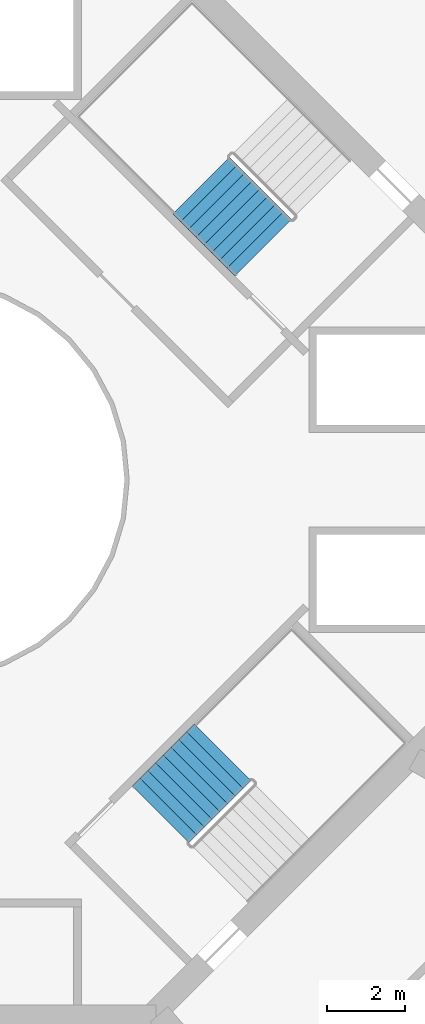
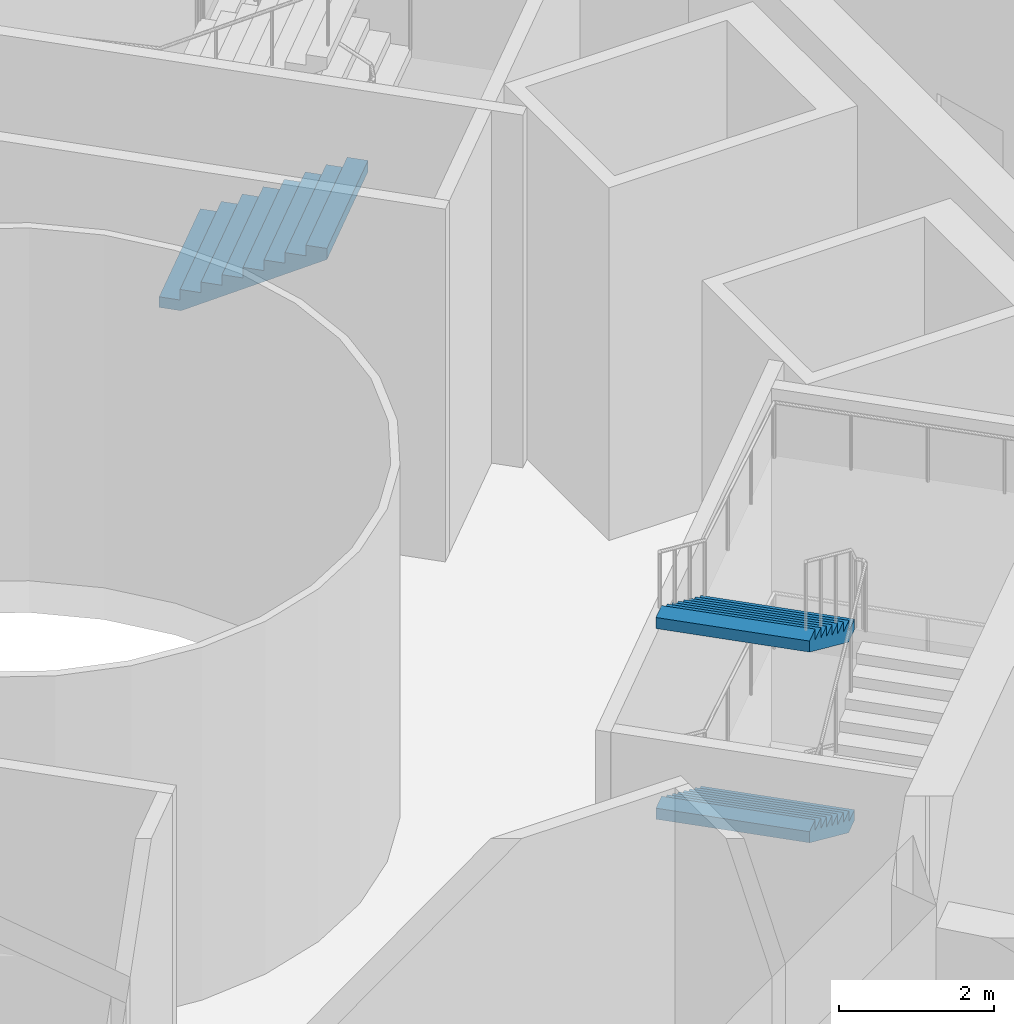
# One storey, part 13 of 16: 3 stair flights, 2 elements without a shape of their own.
"""IFC4 building model written with IfcOpenShell, lengths in metres."""

import ifcopenshell
import ifcopenshell.guid

model = None  # the IFC model being written
_history = None  # IfcOwnerHistory: only IFC2X3 demands one
_inside = {}  # id of a spatial element -> (the spatial element, [elements in it])
_under = {}  # id of a project, library or spatial element -> (it, [spatial elements below it])
_declared = {}  # id of a project -> (the project, [libraries it declares])
_typed = {}  # id of a type object -> (the type object, [elements of that type])
_made_of = {}  # id of a material, layer set ... -> (it, [elements and type objects made of it])


def new_model(schema):
    """Start an empty IFC model of exactly this schema.

    Asked for "IFC4X3", IfcOpenShell would pick the latest addendum, in which some entities
    have other attributes; the version numbers below select the first issue.
    IFC2X3 requires an IfcOwnerHistory on every rooted entity: one is made here for all.
    """
    global model, _history
    if schema == "IFC4X3":
        model = ifcopenshell.file(schema_version=(4, 3, 0, 0))
    else:
        model = ifcopenshell.file(schema=schema)
    _inside.clear()
    _under.clear()
    _declared.clear()
    _typed.clear()
    _made_of.clear()
    _history = None
    if model.schema == "IFC2X3":
        org = make("IfcOrganization", Name="unknown")
        user = make(
            "IfcPersonAndOrganization",
            ThePerson=make("IfcPerson", FamilyName="unknown"),
            TheOrganization=org,
        )
        app = make(
            "IfcApplication",
            ApplicationDeveloper=org,
            Version="unknown",
            ApplicationFullName="unknown",
            ApplicationIdentifier="unknown",
        )
        _history = make(
            "IfcOwnerHistory",
            OwningUser=user,
            OwningApplication=app,
            ChangeAction="ADDED",
            CreationDate=0,
        )
    return model


def make(cls, **values):
    """One entity of the class cls with the attributes given. An attribute that is None is left unset."""
    return model.create_entity(
        cls, **{name: value for name, value in values.items() if value is not None}
    )


def rooted(cls, **values):
    """An entity with a GlobalId (a new one), such as an element, a storey or a relation."""
    return make(cls, GlobalId=ifcopenshell.guid.new(), OwnerHistory=_history, **values)


def si_unit(unit_type, name, prefix=None):
    """IfcSIUnit, for example si_unit("LENGTHUNIT", "METRE", prefix="MILLI")."""
    return make("IfcSIUnit", UnitType=unit_type, Prefix=prefix, Name=name)


def assignment(units):
    """IfcUnitAssignment: the units of a project."""
    return None if units is None else make("IfcUnitAssignment", Units=units)


def point(xyz):
    """IfcCartesianPoint."""
    return None if xyz is None else make("IfcCartesianPoint", Coordinates=xyz)


def direction(xyz):
    """IfcDirection."""
    return None if xyz is None else make("IfcDirection", DirectionRatios=xyz)


def frame(location, z_axis=None, x_axis=None):
    """IfcAxis2Placement3D, a coordinate frame: its origin and axes. An axis left out is left unset."""
    return make(
        "IfcAxis2Placement3D",
        Location=point(location),
        Axis=direction(z_axis),
        RefDirection=direction(x_axis),
    )


def origin():
    """The frame at (0, 0, 0) with its axes left unset."""
    return frame((0.0, 0.0, 0.0))


def place(relative_to, where):
    """IfcLocalPlacement: puts the frame where relative to a parent placement (None: the world)."""
    return make(
        "IfcLocalPlacement", PlacementRelTo=relative_to, RelativePlacement=where
    )


def context(
    kind, dimensions, precision=None, world=None, true_north=None, identifier=None
):
    """IfcGeometricRepresentationContext, for example the 3D "Model" context."""
    return make(
        "IfcGeometricRepresentationContext",
        ContextIdentifier=identifier,
        ContextType=kind,
        CoordinateSpaceDimension=dimensions,
        Precision=precision,
        WorldCoordinateSystem=world,
        TrueNorth=true_north,
    )


def subcontext(parent, identifier, kind, view, scale=None):
    """IfcGeometricRepresentationSubContext, for example "Body" below "Model"."""
    return make(
        "IfcGeometricRepresentationSubContext",
        ContextIdentifier=identifier,
        ContextType=kind,
        ParentContext=parent,
        TargetScale=scale,
        TargetView=view,
    )


def project(units=None, contexts=None):
    """IfcProject with its units and contexts."""
    return rooted(
        "IfcProject",
        Name="project",
        RepresentationContexts=contexts,
        UnitsInContext=assignment(units),
    )


def spatial(cls, under=None, at=None, **own):
    """A site, building, storey or space (cls), placed at a placement, below another one or the project."""
    s = rooted(cls, ObjectPlacement=at, **own)
    if under is not None:
        _under.setdefault(under.id(), (under, []))[1].append(s)
    return s


def point_list(points):
    """IfcCartesianPointList2D or 3D."""
    cls = (
        "IfcCartesianPointList2D" if len(points[0]) == 2 else "IfcCartesianPointList3D"
    )
    return make(cls, CoordList=points)


def triangles(points, corners, closed=None, point_numbers=None):
    """IfcTriangulatedFaceSet: each triangle names its three corners, points numbered from 1."""
    return make(
        "IfcTriangulatedFaceSet",
        Coordinates=point_list(points),
        Closed=closed,
        CoordIndex=corners,
        PnIndex=point_numbers,
    )


def shape(context_of_items, identifier, shape_type, items):
    """IfcShapeRepresentation: the items that make up one representation, for example the "Body"."""
    return make(
        "IfcShapeRepresentation",
        ContextOfItems=context_of_items,
        RepresentationIdentifier=identifier,
        RepresentationType=shape_type,
        Items=items,
    )


def material(Name=None, Category=None):
    """IfcMaterial."""
    return make("IfcMaterial", Name=Name, Category=Category)


def made_of(thing, what):
    """Note that an element or type object is made of a material, layer set ...; save() writes the relation."""
    if what is not None:
        _made_of.setdefault(what.id(), (what, []))[1].append(thing)
    return thing


def type_object(cls, material=None, **own):
    """A type object (cls), such as IfcWallType, which elements share."""
    return made_of(rooted(cls, **own), material)


def element(
    cls,
    number,
    at=None,
    inside=None,
    cuts=None,
    type_object=None,
    material=None,
    context=None,
    identifier="Body",
    shape_type=None,
    held_by="IfcProductDefinitionShape",
    body=None,
    shapes=None,
    **own,
):
    """One element of the class cls, such as IfcWall. Its Tag is "e" and its number.

    at: its placement. inside: the storey or other place that contains it. cuts: it is an
    opening in that element (IfcRelVoidsElement). A single representation is given by context,
    identifier, shape_type and body (its items); several are given by shapes. held_by: the class
    of the entity that holds the representations. save() writes the other relations.
    """
    e = rooted(cls, Tag="e%d" % number, ObjectPlacement=at, **own)
    if body is not None:
        shapes = [shape(context, identifier, shape_type, body)]
    if shapes is not None:
        e.Representation = make(held_by, Representations=shapes)
    if inside is not None:
        _inside.setdefault(inside.id(), (inside, []))[1].append(e)
    if cuts is not None:
        rooted(
            "IfcRelVoidsElement", RelatingBuildingElement=cuts, RelatedOpeningElement=e
        )
    if type_object is not None:
        _typed.setdefault(type_object.id(), (type_object, []))[1].append(e)
    return made_of(e, material)


def aggregate(whole, parts):
    """IfcRelAggregates: a whole, such as a stair, and the parts it consists of."""
    return rooted("IfcRelAggregates", RelatingObject=whole, RelatedObjects=parts)


def save(model, path):
    """Write the relations noted so far, then the file.

    IfcRelAggregates (storeys below a building ...), IfcRelContainedInSpatialStructure (elements
    in a storey), IfcRelDefinesByType, IfcRelAssociatesMaterial and IfcRelDeclares: one each for
    every whole, place, type object, material and project.
    """
    for whole, parts in _under.values():
        aggregate(whole, parts)
    for where, things in _inside.values():
        rooted(
            "IfcRelContainedInSpatialStructure",
            RelatedElements=things,
            RelatingStructure=where,
        )
    for kind, things in _typed.values():
        rooted("IfcRelDefinesByType", RelatedObjects=things, RelatingType=kind)
    for what, things in _made_of.values():
        rooted("IfcRelAssociatesMaterial", RelatedObjects=things, RelatingMaterial=what)
    for by, libraries in _declared.values():
        rooted("IfcRelDeclares", RelatingContext=by, RelatedDefinitions=libraries)
    model.write(path)


model = new_model("IFC4")

# Units and contexts
model_context = context("Model", 3, precision=1e-05, world=origin(), true_north=direction((0.0, 1.0)))
body_context = subcontext(model_context, "Body", "Model", "MODEL_VIEW")
ifc_project = project(units=[si_unit("LENGTHUNIT", "METRE"), si_unit("AREAUNIT", "SQUARE_METRE"), si_unit("VOLUMEUNIT", "CUBIC_METRE"), si_unit("PLANEANGLEUNIT", "RADIAN"), si_unit("MASSUNIT", "GRAM", prefix="KILO")], contexts=[model_context])

# Site, building, storey
site_placement = place(None, origin())
site = spatial("IfcSite", under=ifc_project, at=site_placement, CompositionType="ELEMENT")
building_placement = place(site_placement, origin())
building = spatial("IfcBuilding", under=site, at=building_placement, Name="Verdalira Terraces Hotel", CompositionType="ELEMENT")
storey_placement = place(building_placement, frame((0.0, 0.0, 216.0)))
storey = spatial("IfcBuildingStorey", under=building, at=storey_placement, Name="L53", CompositionType="ELEMENT", Elevation=216.0)

# Stair, stair flight
ifc_material_1 = material(Name="Concrete C40", Category="concrete")
stair_type = type_object("IfcStairType", Name="Core stair 36 risers 2050 mm wide", PredefinedType="HALF_TURN_STAIR", material=ifc_material_1)
stair_1_placement = place(storey_placement, origin())
stair_1 = element("IfcStair", 1, at=stair_1_placement, inside=storey, type_object=stair_type, Name="L53 Exit stair ST1", PredefinedType="HALF_TURN_STAIR")
ifc_material_2 = material(Name="Concrete C40", Category="concrete")
stair_flight_type = type_object("IfcStairFlightType", Name="Core stair flight 36 risers 2050 mm wide", PredefinedType="STRAIGHT", material=ifc_material_2)
stair_flight_1_placement = place(storey_placement, frame((6.954346, 7.505859, 1.5), z_axis=(0.0, 0.0, 1.0), x_axis=(0.707106781, -0.707106781, 0.0)))
stair_flight_1 = element("IfcStairFlight", 2, at=stair_flight_1_placement, type_object=stair_flight_type, Name="ST1 flight 2", NumberOfRisers=9, NumberOfTreads=8, PredefinedType="STRAIGHT", RiserHeight=0.166666667, TreadLength=0.28, context=body_context, shape_type="Tessellation", body=[
    triangles([(0.0, 1.025024, 0.0), (0.292969, 1.025024, 0.0), (2.23999, 1.025024, 1.158936), (0.0, -1.025024, 0.0), (0.292969, -1.025024, 0.0), (2.23999, -1.025024, 1.158936), (2.23999, 1.025024, 1.333252), (1.959961, 1.025024, 1.333252), (2.23999, -1.025024, 1.333252), (1.959961, -1.025024, 1.333252), (1.959961, 1.025024, 1.166748), (1.959961, -1.025024, 1.166748), (1.679932, 1.025024, 1.166748), (1.679932, -1.025024, 1.166748), (1.679932, 1.025024, 1.0), (1.679932, -1.025024, 1.0), (1.399902, 1.025024, 1.0), (1.399902, 1.025024, 0.833252), (1.399902, -1.025024, 1.0), (1.399902, -1.025024, 0.833252), (1.120117, 1.025024, 0.833252), (1.120117, 1.025024, 0.666748), (1.120117, -1.025024, 0.833252), (1.120117, -1.025024, 0.666748), (0.840088, 1.025024, 0.666748), (0.840088, 1.025024, 0.5), (0.840088, -1.025024, 0.666748), (0.840088, -1.025024, 0.5), (0.560059, 1.025024, 0.5), (0.560059, 1.025024, 0.333252), (0.560059, -1.025024, 0.5), (0.560059, -1.025024, 0.333252), (0.280029, 1.025024, 0.333252), (0.280029, 1.025024, 0.166748), (0.280029, -1.025024, 0.333252), (0.280029, -1.025024, 0.166748), (0.0, 1.025024, 0.166748), (0.0, -1.025024, 0.166748), (0.0, -0.96096, 0.0), (0.0, -0.96096, 0.166748), (0.0, -0.896896, 0.0), (0.0, -0.896896, 0.166748), (0.0, -0.832832, 0.0), (0.0, -0.832832, 0.166748), (0.0, -0.768768, 0.0), (0.0, -0.768768, 0.166748), (0.0, -0.704704, 0.0), (0.0, -0.704704, 0.166748), (0.0, -0.64064, 0.0), (0.0, -0.64064, 0.166748), (0.0, -0.576576, 0.0), (0.0, -0.576576, 0.166748), (0.0, -0.512512, 0.0), (0.0, -0.512512, 0.166748), (0.0, -0.448448, 0.0), (0.0, -0.448448, 0.166748), (0.0, -0.384384, 0.0), (0.0, -0.384384, 0.166748), (0.0, -0.32032, 0.0), (0.0, -0.32032, 0.166748), (0.0, -0.256256, 0.0), (0.0, -0.256256, 0.166748), (0.0, -0.192192, 0.0), (0.0, -0.192192, 0.166748), (0.0, -0.128128, 0.0), (0.0, -0.128128, 0.166748), (0.0, -0.064064, 0.0), (0.0, -0.064064, 0.166748), (0.0, 0.0, 0.0), (0.0, 0.0, 0.166748), (0.0, 0.064064, 0.0), (0.0, 0.064064, 0.166748), (0.0, 0.128128, 0.0), (0.0, 0.128128, 0.166748), (0.0, 0.192192, 0.0), (0.0, 0.192192, 0.166748), (0.0, 0.256256, 0.0), (0.0, 0.256256, 0.166748), (0.0, 0.32032, 0.0), (0.0, 0.32032, 0.166748), (0.0, 0.384384, 0.0), (0.0, 0.384384, 0.166748), (0.0, 0.448448, 0.0), (0.0, 0.448448, 0.166748), (0.0, 0.512512, 0.0), (0.0, 0.512512, 0.166748), (0.0, 0.576576, 0.0), (0.0, 0.576576, 0.166748), (0.0, 0.64064, 0.0), (0.0, 0.64064, 0.166748), (0.0, 0.704704, 0.0), (0.0, 0.704704, 0.166748), (0.0, 0.768768, 0.0), (0.0, 0.768768, 0.166748), (0.0, 0.832832, 0.0), (0.0, 0.832832, 0.166748), (0.0, 0.896896, 0.0), (0.0, 0.896896, 0.166748), (0.0, 0.96096, 0.0), (0.0, 0.96096, 0.166748), (2.23999, -0.96096, 1.333252), (2.23999, -0.896896, 1.333252), (2.23999, -0.832832, 1.333252), (2.23999, -0.768768, 1.333252), (2.23999, -0.704704, 1.333252), (2.23999, -0.64064, 1.333252), (2.23999, -0.576576, 1.333252), (2.23999, -0.512512, 1.333252), (2.23999, -0.448448, 1.333252), (2.23999, -0.384384, 1.333252), (2.23999, -0.32032, 1.333252), (2.23999, -0.256256, 1.333252), (2.23999, -0.192192, 1.333252), (2.23999, -0.128128, 1.333252), (2.23999, -0.064064, 1.333252), (2.23999, 0.0, 1.333252), (2.23999, 0.064064, 1.333252), (2.23999, 0.128128, 1.333252), (2.23999, 0.192192, 1.333252), (2.23999, 0.256256, 1.333252), (2.23999, 0.32032, 1.333252), (2.23999, 0.384384, 1.333252), (2.23999, 0.448448, 1.333252), (2.23999, 0.512512, 1.333252), (2.23999, 0.576576, 1.333252), (2.23999, 0.64064, 1.333252), (2.23999, 0.704704, 1.333252), (2.23999, 0.768768, 1.333252), (2.23999, 0.832832, 1.333252), (2.23999, 0.896896, 1.333252), (2.23999, 0.96096, 1.333252), (2.23999, -0.96096, 1.158936), (2.23999, -0.896896, 1.158936), (2.23999, -0.832832, 1.158936), (2.23999, -0.768768, 1.158936), (2.23999, -0.704704, 1.158936), (2.23999, -0.64064, 1.158936), (2.23999, -0.576576, 1.158936), (2.23999, -0.512512, 1.158936), (2.23999, -0.448448, 1.158936), (2.23999, -0.384384, 1.158936), (2.23999, -0.32032, 1.158936), (2.23999, -0.256256, 1.158936), (2.23999, -0.192192, 1.158936), (2.23999, -0.128128, 1.158936), (2.23999, -0.064064, 1.158936), (2.23999, 0.0, 1.158936), (2.23999, 0.064064, 1.158936), (2.23999, 0.128128, 1.158936), (2.23999, 0.192192, 1.158936), (2.23999, 0.256256, 1.158936), (2.23999, 0.32032, 1.158936), (2.23999, 0.384384, 1.158936), (2.23999, 0.448448, 1.158936), (2.23999, 0.512512, 1.158936), (2.23999, 0.576576, 1.158936), (2.23999, 0.64064, 1.158936), (2.23999, 0.704704, 1.158936), (2.23999, 0.768768, 1.158936), (2.23999, 0.832832, 1.158936), (2.23999, 0.896896, 1.158936), (2.23999, 0.96096, 1.158936)], [[1, 3, 2], [4, 5, 6], [3, 8, 7], [6, 9, 10], [3, 11, 8], [6, 10, 12], [3, 13, 11], [6, 12, 14], [3, 15, 13], [6, 14, 16], [15, 18, 17], [16, 19, 20], [3, 18, 15], [6, 16, 20], [18, 22, 21], [20, 23, 24], [3, 22, 18], [6, 20, 24], [22, 26, 25], [24, 27, 28], [3, 26, 22], [6, 24, 28], [26, 30, 29], [28, 31, 32], [3, 30, 26], [6, 28, 32], [1, 30, 3], [4, 6, 32], [30, 34, 33], [32, 35, 36], [1, 34, 30], [4, 32, 36], [34, 1, 37], [36, 38, 4], [4, 40, 39], [4, 38, 40], [39, 42, 41], [39, 40, 42], [41, 44, 43], [41, 42, 44], [43, 46, 45], [43, 44, 46], [45, 48, 47], [45, 46, 48], [47, 50, 49], [47, 48, 50], [49, 52, 51], [49, 50, 52], [51, 54, 53], [51, 52, 54], [53, 56, 55], [53, 54, 56], [55, 58, 57], [55, 56, 58], [57, 60, 59], [57, 58, 60], [59, 62, 61], [59, 60, 62], [61, 64, 63], [61, 62, 64], [63, 66, 65], [63, 64, 66], [65, 68, 67], [65, 66, 68], [67, 70, 69], [67, 68, 70], [69, 72, 71], [69, 70, 72], [71, 74, 73], [71, 72, 74], [73, 76, 75], [73, 74, 76], [75, 78, 77], [75, 76, 78], [77, 80, 79], [77, 78, 80], [79, 82, 81], [79, 80, 82], [81, 84, 83], [81, 82, 84], [83, 86, 85], [83, 84, 86], [85, 88, 87], [85, 86, 88], [87, 90, 89], [87, 88, 90], [89, 92, 91], [89, 90, 92], [91, 94, 93], [91, 92, 94], [93, 96, 95], [93, 94, 96], [95, 98, 97], [95, 96, 98], [97, 100, 99], [97, 98, 100], [99, 37, 1], [99, 100, 37], [38, 36, 40], [40, 36, 42], [42, 36, 44], [44, 36, 46], [46, 36, 48], [48, 36, 50], [50, 36, 52], [52, 36, 54], [54, 36, 56], [56, 36, 58], [58, 36, 60], [60, 36, 62], [62, 36, 64], [64, 36, 66], [66, 36, 68], [68, 36, 70], [70, 36, 72], [72, 36, 74], [74, 36, 76], [76, 36, 78], [78, 36, 80], [80, 36, 82], [82, 36, 84], [84, 36, 86], [86, 36, 88], [88, 36, 90], [90, 36, 92], [92, 36, 94], [94, 36, 96], [96, 36, 98], [98, 36, 100], [100, 36, 37], [37, 36, 34], [36, 33, 34], [36, 35, 33], [35, 30, 33], [35, 32, 30], [32, 29, 30], [32, 31, 29], [31, 26, 29], [31, 28, 26], [28, 25, 26], [28, 27, 25], [27, 22, 25], [27, 24, 22], [24, 21, 22], [24, 23, 21], [23, 18, 21], [23, 20, 18], [20, 17, 18], [20, 19, 17], [19, 15, 17], [19, 16, 15], [16, 13, 15], [16, 14, 13], [14, 11, 13], [14, 12, 11], [12, 8, 11], [12, 10, 8], [9, 101, 10], [101, 102, 10], [102, 103, 10], [103, 104, 10], [104, 105, 10], [105, 106, 10], [106, 107, 10], [107, 108, 10], [108, 109, 10], [109, 110, 10], [110, 111, 10], [111, 112, 10], [112, 113, 10], [113, 114, 10], [114, 115, 10], [115, 116, 10], [116, 117, 10], [117, 118, 10], [118, 119, 10], [119, 120, 10], [120, 121, 10], [121, 122, 10], [122, 123, 10], [123, 124, 10], [124, 125, 10], [125, 126, 10], [126, 127, 10], [127, 128, 10], [128, 129, 10], [129, 130, 10], [130, 131, 10], [131, 7, 10], [7, 8, 10], [9, 132, 101], [9, 6, 132], [101, 133, 102], [101, 132, 133], [102, 134, 103], [102, 133, 134], [103, 135, 104], [103, 134, 135], [104, 136, 105], [104, 135, 136], [105, 137, 106], [105, 136, 137], [106, 138, 107], [106, 137, 138], [107, 139, 108], [107, 138, 139], [108, 140, 109], [108, 139, 140], [109, 141, 110], [109, 140, 141], [110, 142, 111], [110, 141, 142], [111, 143, 112], [111, 142, 143], [112, 144, 113], [112, 143, 144], [113, 145, 114], [113, 144, 145], [114, 146, 115], [114, 145, 146], [115, 147, 116], [115, 146, 147], [116, 148, 117], [116, 147, 148], [117, 149, 118], [117, 148, 149], [118, 150, 119], [118, 149, 150], [119, 151, 120], [119, 150, 151], [120, 152, 121], [120, 151, 152], [121, 153, 122], [121, 152, 153], [122, 154, 123], [122, 153, 154], [123, 155, 124], [123, 154, 155], [124, 156, 125], [124, 155, 156], [125, 157, 126], [125, 156, 157], [126, 158, 127], [126, 157, 158], [127, 159, 128], [127, 158, 159], [128, 160, 129], [128, 159, 160], [129, 161, 130], [129, 160, 161], [130, 162, 131], [130, 161, 162], [131, 3, 7], [131, 162, 3], [6, 5, 132], [132, 5, 133], [133, 5, 134], [134, 5, 135], [135, 5, 136], [136, 5, 137], [137, 5, 138], [138, 5, 139], [139, 5, 140], [140, 5, 141], [141, 5, 142], [142, 5, 143], [143, 5, 144], [144, 5, 145], [145, 5, 146], [146, 5, 147], [147, 5, 148], [148, 5, 149], [149, 5, 150], [150, 5, 151], [151, 5, 152], [152, 5, 153], [153, 5, 154], [154, 5, 155], [155, 5, 156], [156, 5, 157], [157, 5, 158], [158, 5, 159], [159, 5, 160], [160, 5, 161], [161, 5, 162], [162, 5, 3], [3, 5, 2], [4, 39, 5], [39, 41, 5], [41, 43, 5], [43, 45, 5], [45, 47, 5], [47, 49, 5], [49, 51, 5], [51, 53, 5], [53, 55, 5], [55, 57, 5], [57, 59, 5], [59, 61, 5], [61, 63, 5], [63, 65, 5], [65, 67, 5], [67, 69, 5], [69, 71, 5], [71, 73, 5], [73, 75, 5], [75, 77, 5], [77, 79, 5], [79, 81, 5], [81, 83, 5], [83, 85, 5], [85, 87, 5], [87, 89, 5], [89, 91, 5], [91, 93, 5], [93, 95, 5], [95, 97, 5], [97, 99, 5], [99, 1, 5], [1, 2, 5]], closed=True),
])
aggregate(stair_1, [stair_flight_1])

# Stair, stair flights
stair_2_placement = place(storey_placement, origin())
stair_2 = element("IfcStair", 3, at=stair_2_placement, inside=storey, type_object=stair_type, Name="L53 Exit stair ST3", PredefinedType="HALF_TURN_STAIR")
stair_flight_2_placement = place(storey_placement, frame((7.505859, -6.954346, 1.5), z_axis=(0.0, 0.0, 1.0), x_axis=(-0.707106781, -0.707106781, 0.0)))
stair_flight_2 = element("IfcStairFlight", 4, at=stair_flight_2_placement, type_object=stair_flight_type, Name="ST3 flight 2", NumberOfRisers=9, NumberOfTreads=8, PredefinedType="STRAIGHT", RiserHeight=0.166666667, TreadLength=0.28, context=body_context, shape_type="Tessellation", body=[
    triangles([(0.0, 1.025024, 0.0), (0.292969, 1.025024, 0.0), (2.23999, 1.025024, 1.158936), (0.0, -1.025024, 0.0), (0.292969, -1.025024, 0.0), (2.23999, -1.025024, 1.158936), (2.23999, 1.025024, 1.333252), (1.959961, 1.025024, 1.333252), (2.23999, -1.025024, 1.333252), (1.959961, -1.025024, 1.333252), (1.959961, 1.025024, 1.166748), (1.959961, -1.025024, 1.166748), (1.679932, 1.025024, 1.166748), (1.679932, -1.025024, 1.166748), (1.679932, 1.025024, 1.0), (1.679932, -1.025024, 1.0), (1.399902, 1.025024, 1.0), (1.399902, 1.025024, 0.833252), (1.399902, -1.025024, 1.0), (1.399902, -1.025024, 0.833252), (1.120117, 1.025024, 0.833252), (1.120117, 1.025024, 0.666748), (1.120117, -1.025024, 0.833252), (1.120117, -1.025024, 0.666748), (0.840088, 1.025024, 0.666748), (0.840088, 1.025024, 0.5), (0.840088, -1.025024, 0.666748), (0.840088, -1.025024, 0.5), (0.560059, 1.025024, 0.5), (0.560059, 1.025024, 0.333252), (0.560059, -1.025024, 0.5), (0.560059, -1.025024, 0.333252), (0.280029, 1.025024, 0.333252), (0.280029, 1.025024, 0.166748), (0.280029, -1.025024, 0.333252), (0.280029, -1.025024, 0.166748), (0.0, 1.025024, 0.166748), (0.0, -1.025024, 0.166748), (0.0, -0.96096, 0.0), (0.0, -0.96096, 0.166748), (0.0, -0.896896, 0.0), (0.0, -0.896896, 0.166748), (0.0, -0.832832, 0.0), (0.0, -0.832832, 0.166748), (0.0, -0.768768, 0.0), (0.0, -0.768768, 0.166748), (0.0, -0.704704, 0.0), (0.0, -0.704704, 0.166748), (0.0, -0.64064, 0.0), (0.0, -0.64064, 0.166748), (0.0, -0.576576, 0.0), (0.0, -0.576576, 0.166748), (0.0, -0.512512, 0.0), (0.0, -0.512512, 0.166748), (0.0, -0.448448, 0.0), (0.0, -0.448448, 0.166748), (0.0, -0.384384, 0.0), (0.0, -0.384384, 0.166748), (0.0, -0.32032, 0.0), (0.0, -0.32032, 0.166748), (0.0, -0.256256, 0.0), (0.0, -0.256256, 0.166748), (0.0, -0.192192, 0.0), (0.0, -0.192192, 0.166748), (0.0, -0.128128, 0.0), (0.0, -0.128128, 0.166748), (0.0, -0.064064, 0.0), (0.0, -0.064064, 0.166748), (0.0, 0.0, 0.0), (0.0, 0.0, 0.166748), (0.0, 0.064064, 0.0), (0.0, 0.064064, 0.166748), (0.0, 0.128128, 0.0), (0.0, 0.128128, 0.166748), (0.0, 0.192192, 0.0), (0.0, 0.192192, 0.166748), (0.0, 0.256256, 0.0), (0.0, 0.256256, 0.166748), (0.0, 0.32032, 0.0), (0.0, 0.32032, 0.166748), (0.0, 0.384384, 0.0), (0.0, 0.384384, 0.166748), (0.0, 0.448448, 0.0), (0.0, 0.448448, 0.166748), (0.0, 0.512512, 0.0), (0.0, 0.512512, 0.166748), (0.0, 0.576576, 0.0), (0.0, 0.576576, 0.166748), (0.0, 0.64064, 0.0), (0.0, 0.64064, 0.166748), (0.0, 0.704704, 0.0), (0.0, 0.704704, 0.166748), (0.0, 0.768768, 0.0), (0.0, 0.768768, 0.166748), (0.0, 0.832832, 0.0), (0.0, 0.832832, 0.166748), (0.0, 0.896896, 0.0), (0.0, 0.896896, 0.166748), (0.0, 0.96096, 0.0), (0.0, 0.96096, 0.166748), (2.23999, -0.96096, 1.333252), (2.23999, -0.896896, 1.333252), (2.23999, -0.832832, 1.333252), (2.23999, -0.768768, 1.333252), (2.23999, -0.704704, 1.333252), (2.23999, -0.64064, 1.333252), (2.23999, -0.576576, 1.333252), (2.23999, -0.512512, 1.333252), (2.23999, -0.448448, 1.333252), (2.23999, -0.384384, 1.333252), (2.23999, -0.32032, 1.333252), (2.23999, -0.256256, 1.333252), (2.23999, -0.192192, 1.333252), (2.23999, -0.128128, 1.333252), (2.23999, -0.064064, 1.333252), (2.23999, 0.0, 1.333252), (2.23999, 0.064064, 1.333252), (2.23999, 0.128128, 1.333252), (2.23999, 0.192192, 1.333252), (2.23999, 0.256256, 1.333252), (2.23999, 0.32032, 1.333252), (2.23999, 0.384384, 1.333252), (2.23999, 0.448448, 1.333252), (2.23999, 0.512512, 1.333252), (2.23999, 0.576576, 1.333252), (2.23999, 0.64064, 1.333252), (2.23999, 0.704704, 1.333252), (2.23999, 0.768768, 1.333252), (2.23999, 0.832832, 1.333252), (2.23999, 0.896896, 1.333252), (2.23999, 0.96096, 1.333252), (2.23999, -0.96096, 1.158936), (2.23999, -0.896896, 1.158936), (2.23999, -0.832832, 1.158936), (2.23999, -0.768768, 1.158936), (2.23999, -0.704704, 1.158936), (2.23999, -0.64064, 1.158936), (2.23999, -0.576576, 1.158936), (2.23999, -0.512512, 1.158936), (2.23999, -0.448448, 1.158936), (2.23999, -0.384384, 1.158936), (2.23999, -0.32032, 1.158936), (2.23999, -0.256256, 1.158936), (2.23999, -0.192192, 1.158936), (2.23999, -0.128128, 1.158936), (2.23999, -0.064064, 1.158936), (2.23999, 0.0, 1.158936), (2.23999, 0.064064, 1.158936), (2.23999, 0.128128, 1.158936), (2.23999, 0.192192, 1.158936), (2.23999, 0.256256, 1.158936), (2.23999, 0.32032, 1.158936), (2.23999, 0.384384, 1.158936), (2.23999, 0.448448, 1.158936), (2.23999, 0.512512, 1.158936), (2.23999, 0.576576, 1.158936), (2.23999, 0.64064, 1.158936), (2.23999, 0.704704, 1.158936), (2.23999, 0.768768, 1.158936), (2.23999, 0.832832, 1.158936), (2.23999, 0.896896, 1.158936), (2.23999, 0.96096, 1.158936)], [[1, 3, 2], [4, 5, 6], [3, 8, 7], [6, 9, 10], [3, 11, 8], [6, 10, 12], [3, 13, 11], [6, 12, 14], [3, 15, 13], [6, 14, 16], [15, 18, 17], [16, 19, 20], [3, 18, 15], [6, 16, 20], [18, 22, 21], [20, 23, 24], [3, 22, 18], [6, 20, 24], [22, 26, 25], [24, 27, 28], [3, 26, 22], [6, 24, 28], [26, 30, 29], [28, 31, 32], [3, 30, 26], [6, 28, 32], [1, 30, 3], [4, 6, 32], [30, 34, 33], [32, 35, 36], [1, 34, 30], [4, 32, 36], [34, 1, 37], [36, 38, 4], [4, 40, 39], [4, 38, 40], [39, 42, 41], [39, 40, 42], [41, 44, 43], [41, 42, 44], [43, 46, 45], [43, 44, 46], [45, 48, 47], [45, 46, 48], [47, 50, 49], [47, 48, 50], [49, 52, 51], [49, 50, 52], [51, 54, 53], [51, 52, 54], [53, 56, 55], [53, 54, 56], [55, 58, 57], [55, 56, 58], [57, 60, 59], [57, 58, 60], [59, 62, 61], [59, 60, 62], [61, 64, 63], [61, 62, 64], [63, 66, 65], [63, 64, 66], [65, 68, 67], [65, 66, 68], [67, 70, 69], [67, 68, 70], [69, 72, 71], [69, 70, 72], [71, 74, 73], [71, 72, 74], [73, 76, 75], [73, 74, 76], [75, 78, 77], [75, 76, 78], [77, 80, 79], [77, 78, 80], [79, 82, 81], [79, 80, 82], [81, 84, 83], [81, 82, 84], [83, 86, 85], [83, 84, 86], [85, 88, 87], [85, 86, 88], [87, 90, 89], [87, 88, 90], [89, 92, 91], [89, 90, 92], [91, 94, 93], [91, 92, 94], [93, 96, 95], [93, 94, 96], [95, 98, 97], [95, 96, 98], [97, 100, 99], [97, 98, 100], [99, 37, 1], [99, 100, 37], [38, 36, 40], [40, 36, 42], [42, 36, 44], [44, 36, 46], [46, 36, 48], [48, 36, 50], [50, 36, 52], [52, 36, 54], [54, 36, 56], [56, 36, 58], [58, 36, 60], [60, 36, 62], [62, 36, 64], [64, 36, 66], [66, 36, 68], [68, 36, 70], [70, 36, 72], [72, 36, 74], [74, 36, 76], [76, 36, 78], [78, 36, 80], [80, 36, 82], [82, 36, 84], [84, 36, 86], [86, 36, 88], [88, 36, 90], [90, 36, 92], [92, 36, 94], [94, 36, 96], [96, 36, 98], [98, 36, 100], [100, 36, 37], [37, 36, 34], [36, 33, 34], [36, 35, 33], [35, 30, 33], [35, 32, 30], [32, 29, 30], [32, 31, 29], [31, 26, 29], [31, 28, 26], [28, 25, 26], [28, 27, 25], [27, 22, 25], [27, 24, 22], [24, 21, 22], [24, 23, 21], [23, 18, 21], [23, 20, 18], [20, 17, 18], [20, 19, 17], [19, 15, 17], [19, 16, 15], [16, 13, 15], [16, 14, 13], [14, 11, 13], [14, 12, 11], [12, 8, 11], [12, 10, 8], [9, 101, 10], [101, 102, 10], [102, 103, 10], [103, 104, 10], [104, 105, 10], [105, 106, 10], [106, 107, 10], [107, 108, 10], [108, 109, 10], [109, 110, 10], [110, 111, 10], [111, 112, 10], [112, 113, 10], [113, 114, 10], [114, 115, 10], [115, 116, 10], [116, 117, 10], [117, 118, 10], [118, 119, 10], [119, 120, 10], [120, 121, 10], [121, 122, 10], [122, 123, 10], [123, 124, 10], [124, 125, 10], [125, 126, 10], [126, 127, 10], [127, 128, 10], [128, 129, 10], [129, 130, 10], [130, 131, 10], [131, 7, 10], [7, 8, 10], [9, 132, 101], [9, 6, 132], [101, 133, 102], [101, 132, 133], [102, 134, 103], [102, 133, 134], [103, 135, 104], [103, 134, 135], [104, 136, 105], [104, 135, 136], [105, 137, 106], [105, 136, 137], [106, 138, 107], [106, 137, 138], [107, 139, 108], [107, 138, 139], [108, 140, 109], [108, 139, 140], [109, 141, 110], [109, 140, 141], [110, 142, 111], [110, 141, 142], [111, 143, 112], [111, 142, 143], [112, 144, 113], [112, 143, 144], [113, 145, 114], [113, 144, 145], [114, 146, 115], [114, 145, 146], [115, 147, 116], [115, 146, 147], [116, 148, 117], [116, 147, 148], [117, 149, 118], [117, 148, 149], [118, 150, 119], [118, 149, 150], [119, 151, 120], [119, 150, 151], [120, 152, 121], [120, 151, 152], [121, 153, 122], [121, 152, 153], [122, 154, 123], [122, 153, 154], [123, 155, 124], [123, 154, 155], [124, 156, 125], [124, 155, 156], [125, 157, 126], [125, 156, 157], [126, 158, 127], [126, 157, 158], [127, 159, 128], [127, 158, 159], [128, 160, 129], [128, 159, 160], [129, 161, 130], [129, 160, 161], [130, 162, 131], [130, 161, 162], [131, 3, 7], [131, 162, 3], [6, 5, 132], [132, 5, 133], [133, 5, 134], [134, 5, 135], [135, 5, 136], [136, 5, 137], [137, 5, 138], [138, 5, 139], [139, 5, 140], [140, 5, 141], [141, 5, 142], [142, 5, 143], [143, 5, 144], [144, 5, 145], [145, 5, 146], [146, 5, 147], [147, 5, 148], [148, 5, 149], [149, 5, 150], [150, 5, 151], [151, 5, 152], [152, 5, 153], [153, 5, 154], [154, 5, 155], [155, 5, 156], [156, 5, 157], [157, 5, 158], [158, 5, 159], [159, 5, 160], [160, 5, 161], [161, 5, 162], [162, 5, 3], [3, 5, 2], [4, 39, 5], [39, 41, 5], [41, 43, 5], [43, 45, 5], [45, 47, 5], [47, 49, 5], [49, 51, 5], [51, 53, 5], [53, 55, 5], [55, 57, 5], [57, 59, 5], [59, 61, 5], [61, 63, 5], [63, 65, 5], [65, 67, 5], [67, 69, 5], [69, 71, 5], [71, 73, 5], [73, 75, 5], [75, 77, 5], [77, 79, 5], [79, 81, 5], [81, 83, 5], [83, 85, 5], [85, 87, 5], [87, 89, 5], [89, 91, 5], [91, 93, 5], [93, 95, 5], [95, 97, 5], [97, 99, 5], [99, 1, 5], [1, 2, 5]], closed=True),
])
stair_flight_3_placement = place(storey_placement, frame((7.505859, -6.954346, 4.5), z_axis=(0.0, 0.0, 1.0), x_axis=(-0.707106781, -0.707106781, 0.0)))
stair_flight_3 = element("IfcStairFlight", 5, at=stair_flight_3_placement, type_object=stair_flight_type, Name="ST3 flight 4", NumberOfRisers=9, NumberOfTreads=8, PredefinedType="STRAIGHT", RiserHeight=0.166666667, TreadLength=0.28, context=body_context, shape_type="Tessellation", body=[
    triangles([(0.0, 1.025024, 0.0), (0.292969, 1.025024, 0.0), (2.23999, 1.025024, 1.158936), (0.0, -1.025024, 0.0), (0.292969, -1.025024, 0.0), (2.23999, -1.025024, 1.158936), (2.23999, 1.025024, 1.333252), (1.959961, 1.025024, 1.333252), (2.23999, -1.025024, 1.333252), (1.959961, -1.025024, 1.333252), (1.959961, 1.025024, 1.166748), (1.959961, -1.025024, 1.166748), (1.679932, 1.025024, 1.166748), (1.679932, -1.025024, 1.166748), (1.679932, 1.025024, 1.0), (1.679932, -1.025024, 1.0), (1.399902, 1.025024, 1.0), (1.399902, 1.025024, 0.833252), (1.399902, -1.025024, 1.0), (1.399902, -1.025024, 0.833252), (1.120117, 1.025024, 0.833252), (1.120117, 1.025024, 0.666748), (1.120117, -1.025024, 0.833252), (1.120117, -1.025024, 0.666748), (0.840088, 1.025024, 0.666748), (0.840088, 1.025024, 0.5), (0.840088, -1.025024, 0.666748), (0.840088, -1.025024, 0.5), (0.560059, 1.025024, 0.5), (0.560059, 1.025024, 0.333252), (0.560059, -1.025024, 0.5), (0.560059, -1.025024, 0.333252), (0.280029, 1.025024, 0.333252), (0.280029, 1.025024, 0.166748), (0.280029, -1.025024, 0.333252), (0.280029, -1.025024, 0.166748), (0.0, 1.025024, 0.166748), (0.0, -1.025024, 0.166748), (0.0, -0.96096, 0.0), (0.0, -0.96096, 0.166748), (0.0, -0.896896, 0.0), (0.0, -0.896896, 0.166748), (0.0, -0.832832, 0.0), (0.0, -0.832832, 0.166748), (0.0, -0.768768, 0.0), (0.0, -0.768768, 0.166748), (0.0, -0.704704, 0.0), (0.0, -0.704704, 0.166748), (0.0, -0.64064, 0.0), (0.0, -0.64064, 0.166748), (0.0, -0.576576, 0.0), (0.0, -0.576576, 0.166748), (0.0, -0.512512, 0.0), (0.0, -0.512512, 0.166748), (0.0, -0.448448, 0.0), (0.0, -0.448448, 0.166748), (0.0, -0.384384, 0.0), (0.0, -0.384384, 0.166748), (0.0, -0.32032, 0.0), (0.0, -0.32032, 0.166748), (0.0, -0.256256, 0.0), (0.0, -0.256256, 0.166748), (0.0, -0.192192, 0.0), (0.0, -0.192192, 0.166748), (0.0, -0.128128, 0.0), (0.0, -0.128128, 0.166748), (0.0, -0.064064, 0.0), (0.0, -0.064064, 0.166748), (0.0, 0.0, 0.0), (0.0, 0.0, 0.166748), (0.0, 0.064064, 0.0), (0.0, 0.064064, 0.166748), (0.0, 0.128128, 0.0), (0.0, 0.128128, 0.166748), (0.0, 0.192192, 0.0), (0.0, 0.192192, 0.166748), (0.0, 0.256256, 0.0), (0.0, 0.256256, 0.166748), (0.0, 0.32032, 0.0), (0.0, 0.32032, 0.166748), (0.0, 0.384384, 0.0), (0.0, 0.384384, 0.166748), (0.0, 0.448448, 0.0), (0.0, 0.448448, 0.166748), (0.0, 0.512512, 0.0), (0.0, 0.512512, 0.166748), (0.0, 0.576576, 0.0), (0.0, 0.576576, 0.166748), (0.0, 0.64064, 0.0), (0.0, 0.64064, 0.166748), (0.0, 0.704704, 0.0), (0.0, 0.704704, 0.166748), (0.0, 0.768768, 0.0), (0.0, 0.768768, 0.166748), (0.0, 0.832832, 0.0), (0.0, 0.832832, 0.166748), (0.0, 0.896896, 0.0), (0.0, 0.896896, 0.166748), (0.0, 0.96096, 0.0), (0.0, 0.96096, 0.166748), (2.23999, -0.96096, 1.333252), (2.23999, -0.896896, 1.333252), (2.23999, -0.832832, 1.333252), (2.23999, -0.768768, 1.333252), (2.23999, -0.704704, 1.333252), (2.23999, -0.64064, 1.333252), (2.23999, -0.576576, 1.333252), (2.23999, -0.512512, 1.333252), (2.23999, -0.448448, 1.333252), (2.23999, -0.384384, 1.333252), (2.23999, -0.32032, 1.333252), (2.23999, -0.256256, 1.333252), (2.23999, -0.192192, 1.333252), (2.23999, -0.128128, 1.333252), (2.23999, -0.064064, 1.333252), (2.23999, 0.0, 1.333252), (2.23999, 0.064064, 1.333252), (2.23999, 0.128128, 1.333252), (2.23999, 0.192192, 1.333252), (2.23999, 0.256256, 1.333252), (2.23999, 0.32032, 1.333252), (2.23999, 0.384384, 1.333252), (2.23999, 0.448448, 1.333252), (2.23999, 0.512512, 1.333252), (2.23999, 0.576576, 1.333252), (2.23999, 0.64064, 1.333252), (2.23999, 0.704704, 1.333252), (2.23999, 0.768768, 1.333252), (2.23999, 0.832832, 1.333252), (2.23999, 0.896896, 1.333252), (2.23999, 0.96096, 1.333252), (2.23999, -0.96096, 1.158936), (2.23999, -0.896896, 1.158936), (2.23999, -0.832832, 1.158936), (2.23999, -0.768768, 1.158936), (2.23999, -0.704704, 1.158936), (2.23999, -0.64064, 1.158936), (2.23999, -0.576576, 1.158936), (2.23999, -0.512512, 1.158936), (2.23999, -0.448448, 1.158936), (2.23999, -0.384384, 1.158936), (2.23999, -0.32032, 1.158936), (2.23999, -0.256256, 1.158936), (2.23999, -0.192192, 1.158936), (2.23999, -0.128128, 1.158936), (2.23999, -0.064064, 1.158936), (2.23999, 0.0, 1.158936), (2.23999, 0.064064, 1.158936), (2.23999, 0.128128, 1.158936), (2.23999, 0.192192, 1.158936), (2.23999, 0.256256, 1.158936), (2.23999, 0.32032, 1.158936), (2.23999, 0.384384, 1.158936), (2.23999, 0.448448, 1.158936), (2.23999, 0.512512, 1.158936), (2.23999, 0.576576, 1.158936), (2.23999, 0.64064, 1.158936), (2.23999, 0.704704, 1.158936), (2.23999, 0.768768, 1.158936), (2.23999, 0.832832, 1.158936), (2.23999, 0.896896, 1.158936), (2.23999, 0.96096, 1.158936)], [[1, 3, 2], [4, 5, 6], [3, 8, 7], [6, 9, 10], [3, 11, 8], [6, 10, 12], [3, 13, 11], [6, 12, 14], [3, 15, 13], [6, 14, 16], [15, 18, 17], [16, 19, 20], [3, 18, 15], [6, 16, 20], [18, 22, 21], [20, 23, 24], [3, 22, 18], [6, 20, 24], [22, 26, 25], [24, 27, 28], [3, 26, 22], [6, 24, 28], [26, 30, 29], [28, 31, 32], [3, 30, 26], [6, 28, 32], [1, 30, 3], [4, 6, 32], [30, 34, 33], [32, 35, 36], [1, 34, 30], [4, 32, 36], [34, 1, 37], [36, 38, 4], [4, 40, 39], [4, 38, 40], [39, 42, 41], [39, 40, 42], [41, 44, 43], [41, 42, 44], [43, 46, 45], [43, 44, 46], [45, 48, 47], [45, 46, 48], [47, 50, 49], [47, 48, 50], [49, 52, 51], [49, 50, 52], [51, 54, 53], [51, 52, 54], [53, 56, 55], [53, 54, 56], [55, 58, 57], [55, 56, 58], [57, 60, 59], [57, 58, 60], [59, 62, 61], [59, 60, 62], [61, 64, 63], [61, 62, 64], [63, 66, 65], [63, 64, 66], [65, 68, 67], [65, 66, 68], [67, 70, 69], [67, 68, 70], [69, 72, 71], [69, 70, 72], [71, 74, 73], [71, 72, 74], [73, 76, 75], [73, 74, 76], [75, 78, 77], [75, 76, 78], [77, 80, 79], [77, 78, 80], [79, 82, 81], [79, 80, 82], [81, 84, 83], [81, 82, 84], [83, 86, 85], [83, 84, 86], [85, 88, 87], [85, 86, 88], [87, 90, 89], [87, 88, 90], [89, 92, 91], [89, 90, 92], [91, 94, 93], [91, 92, 94], [93, 96, 95], [93, 94, 96], [95, 98, 97], [95, 96, 98], [97, 100, 99], [97, 98, 100], [99, 37, 1], [99, 100, 37], [38, 36, 40], [40, 36, 42], [42, 36, 44], [44, 36, 46], [46, 36, 48], [48, 36, 50], [50, 36, 52], [52, 36, 54], [54, 36, 56], [56, 36, 58], [58, 36, 60], [60, 36, 62], [62, 36, 64], [64, 36, 66], [66, 36, 68], [68, 36, 70], [70, 36, 72], [72, 36, 74], [74, 36, 76], [76, 36, 78], [78, 36, 80], [80, 36, 82], [82, 36, 84], [84, 36, 86], [86, 36, 88], [88, 36, 90], [90, 36, 92], [92, 36, 94], [94, 36, 96], [96, 36, 98], [98, 36, 100], [100, 36, 37], [37, 36, 34], [36, 33, 34], [36, 35, 33], [35, 30, 33], [35, 32, 30], [32, 29, 30], [32, 31, 29], [31, 26, 29], [31, 28, 26], [28, 25, 26], [28, 27, 25], [27, 22, 25], [27, 24, 22], [24, 21, 22], [24, 23, 21], [23, 18, 21], [23, 20, 18], [20, 17, 18], [20, 19, 17], [19, 15, 17], [19, 16, 15], [16, 13, 15], [16, 14, 13], [14, 11, 13], [14, 12, 11], [12, 8, 11], [12, 10, 8], [9, 101, 10], [101, 102, 10], [102, 103, 10], [103, 104, 10], [104, 105, 10], [105, 106, 10], [106, 107, 10], [107, 108, 10], [108, 109, 10], [109, 110, 10], [110, 111, 10], [111, 112, 10], [112, 113, 10], [113, 114, 10], [114, 115, 10], [115, 116, 10], [116, 117, 10], [117, 118, 10], [118, 119, 10], [119, 120, 10], [120, 121, 10], [121, 122, 10], [122, 123, 10], [123, 124, 10], [124, 125, 10], [125, 126, 10], [126, 127, 10], [127, 128, 10], [128, 129, 10], [129, 130, 10], [130, 131, 10], [131, 7, 10], [7, 8, 10], [9, 132, 101], [9, 6, 132], [101, 133, 102], [101, 132, 133], [102, 134, 103], [102, 133, 134], [103, 135, 104], [103, 134, 135], [104, 136, 105], [104, 135, 136], [105, 137, 106], [105, 136, 137], [106, 138, 107], [106, 137, 138], [107, 139, 108], [107, 138, 139], [108, 140, 109], [108, 139, 140], [109, 141, 110], [109, 140, 141], [110, 142, 111], [110, 141, 142], [111, 143, 112], [111, 142, 143], [112, 144, 113], [112, 143, 144], [113, 145, 114], [113, 144, 145], [114, 146, 115], [114, 145, 146], [115, 147, 116], [115, 146, 147], [116, 148, 117], [116, 147, 148], [117, 149, 118], [117, 148, 149], [118, 150, 119], [118, 149, 150], [119, 151, 120], [119, 150, 151], [120, 152, 121], [120, 151, 152], [121, 153, 122], [121, 152, 153], [122, 154, 123], [122, 153, 154], [123, 155, 124], [123, 154, 155], [124, 156, 125], [124, 155, 156], [125, 157, 126], [125, 156, 157], [126, 158, 127], [126, 157, 158], [127, 159, 128], [127, 158, 159], [128, 160, 129], [128, 159, 160], [129, 161, 130], [129, 160, 161], [130, 162, 131], [130, 161, 162], [131, 3, 7], [131, 162, 3], [6, 5, 132], [132, 5, 133], [133, 5, 134], [134, 5, 135], [135, 5, 136], [136, 5, 137], [137, 5, 138], [138, 5, 139], [139, 5, 140], [140, 5, 141], [141, 5, 142], [142, 5, 143], [143, 5, 144], [144, 5, 145], [145, 5, 146], [146, 5, 147], [147, 5, 148], [148, 5, 149], [149, 5, 150], [150, 5, 151], [151, 5, 152], [152, 5, 153], [153, 5, 154], [154, 5, 155], [155, 5, 156], [156, 5, 157], [157, 5, 158], [158, 5, 159], [159, 5, 160], [160, 5, 161], [161, 5, 162], [162, 5, 3], [3, 5, 2], [4, 39, 5], [39, 41, 5], [41, 43, 5], [43, 45, 5], [45, 47, 5], [47, 49, 5], [49, 51, 5], [51, 53, 5], [53, 55, 5], [55, 57, 5], [57, 59, 5], [59, 61, 5], [61, 63, 5], [63, 65, 5], [65, 67, 5], [67, 69, 5], [69, 71, 5], [71, 73, 5], [73, 75, 5], [75, 77, 5], [77, 79, 5], [79, 81, 5], [81, 83, 5], [83, 85, 5], [85, 87, 5], [87, 89, 5], [89, 91, 5], [91, 93, 5], [93, 95, 5], [95, 97, 5], [97, 99, 5], [99, 1, 5], [1, 2, 5]], closed=True),
])
aggregate(stair_2, [stair_flight_2, stair_flight_3])

save(model, "model.ifc")
